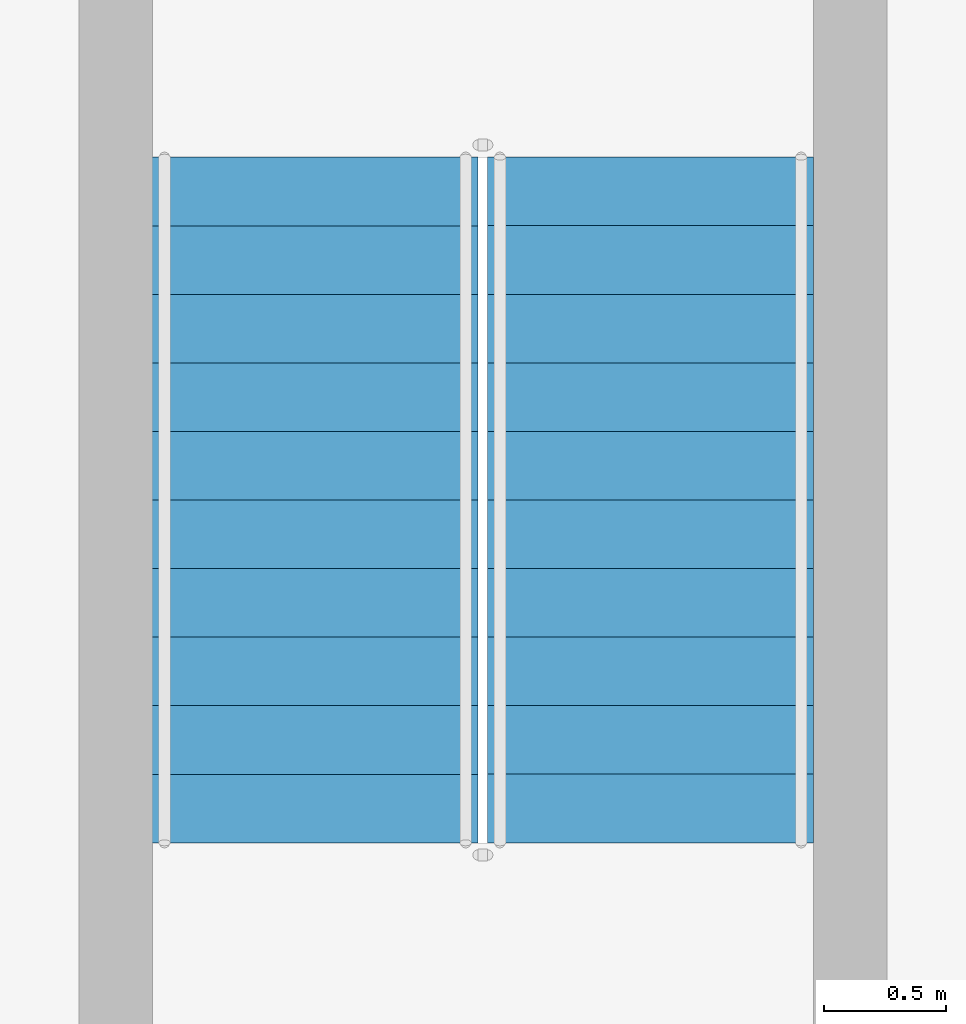
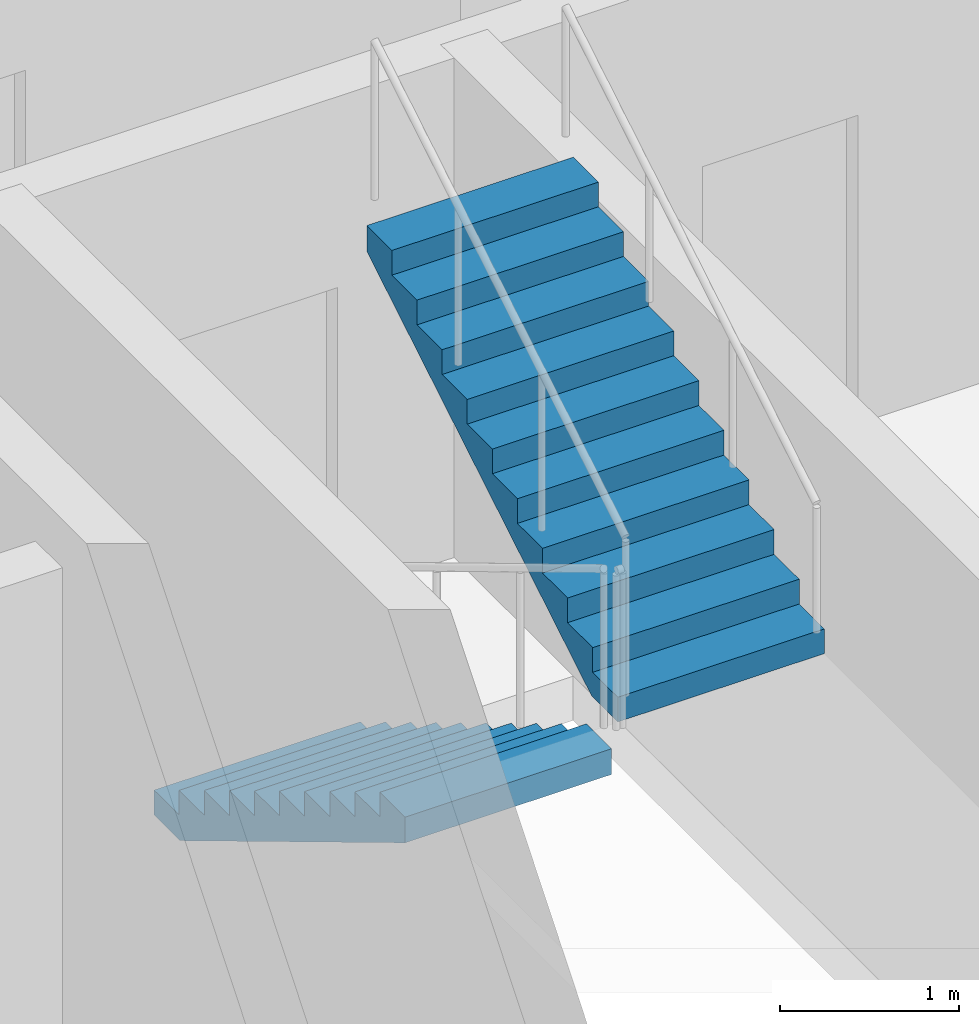
# One storey, part 15 of 19: 2 stair flights, 1 element without a shape of its own.
"""IFC4 building model written with IfcOpenShell, lengths in metres."""

from ifc_helpers import new_model, si_unit, direction, frame, origin, place, context, subcontext, project, spatial, triangles, source, transform, mapped, material, type_object, element, aggregate, save


model = new_model("IFC4")

# Units and contexts
model_context = context("Model", 3, precision=1e-05, world=origin(), true_north=direction((0.0, 1.0)))
body_context = subcontext(model_context, "Body", "Model", "MODEL_VIEW")
ifc_project = project(units=[si_unit("LENGTHUNIT", "METRE"), si_unit("AREAUNIT", "SQUARE_METRE"), si_unit("VOLUMEUNIT", "CUBIC_METRE"), si_unit("PLANEANGLEUNIT", "RADIAN"), si_unit("MASSUNIT", "GRAM", prefix="KILO")], contexts=[model_context])

# Site, building, storey
site_placement = place(None, origin())
site = spatial("IfcSite", under=ifc_project, at=site_placement, CompositionType="ELEMENT")
building_placement = place(site_placement, origin())
building = spatial("IfcBuilding", under=site, at=building_placement, Name="Ogive Portal Towers", CompositionType="ELEMENT")
storey_placement = place(building_placement, frame((0.0, 0.0, 229.10009765625)))
storey = spatial("IfcBuildingStorey", under=building, at=storey_placement, Name="L57", CompositionType="ELEMENT", Elevation=229.10009765625)

# Stair, stair flights
ifc_material = material(Name="Concrete C40/50", Category="concrete")
stair_type = type_object("IfcStairType", Name="INT-STAIR", PredefinedType="HALF_TURN_STAIR", material=ifc_material)
stair_placement = place(storey_placement, origin())
stair = element("IfcStair", 1, at=stair_placement, inside=storey, type_object=stair_type, Name="L57 Exit Stair ST-A4", PredefinedType="HALF_TURN_STAIR")
stair_flight_type = type_object("IfcStairFlightType", Name="INT-FLIGHT", PredefinedType="STRAIGHT", material=ifc_material)
shared_shape = source(origin(), body_context, "Body", "Tessellation", [
    triangles([(0.0, -0.6650390625, 0.0), (0.0, -0.384765625, 0.0), (0.0, -0.197021484375, 0.0), (0.0, -0.0830078125, 0.0), (0.0, -0.024658203125, 0.0), (0.0, -0.003173828125, 0.0), (0.0, 0.0, 0.0), (0.0, 0.003173828125, 0.0), (0.0, 0.024658203125, 0.0), (0.0, 0.0830078125, 0.0), (0.0, 0.197021484375, 0.0), (0.0, 0.384765625, 0.0), (0.0, 0.6650390625, 0.0), (0.0, -0.6650390625, 0.168212890625), (0.0, -0.384765625, 0.168212890625), (0.0, -0.197021484375, 0.168212890625), (0.0, -0.0830078125, 0.168212890625), (0.0, -0.024658203125, 0.168212890625), (0.0, -0.003173828125, 0.168212890625), (0.0, 0.0, 0.168212890625), (0.0, 0.003173828125, 0.168212890625), (0.0, 0.024658203125, 0.168212890625), (0.0, 0.0830078125, 0.168212890625), (0.0, 0.197021484375, 0.168212890625), (0.0, 0.384765625, 0.168212890625), (0.0, 0.6650390625, 0.168212890625), (0.280029296875, -0.6650390625, 0.168212890625), (0.280029296875, -0.384765625, 0.168212890625), (0.280029296875, -0.197021484375, 0.168212890625), (0.280029296875, -0.0830078125, 0.168212890625), (0.280029296875, -0.024658203125, 0.168212890625), (0.280029296875, -0.003173828125, 0.168212890625), (0.280029296875, 0.0, 0.168212890625), (0.280029296875, 0.003173828125, 0.168212890625), (0.280029296875, 0.024658203125, 0.168212890625), (0.280029296875, 0.0830078125, 0.168212890625), (0.280029296875, 0.197021484375, 0.168212890625), (0.280029296875, 0.384765625, 0.168212890625), (0.280029296875, 0.6650390625, 0.168212890625), (0.280029296875, -0.6650390625, 0.33642578125), (0.280029296875, -0.384765625, 0.33642578125), (0.280029296875, -0.197021484375, 0.33642578125), (0.280029296875, -0.0830078125, 0.33642578125), (0.280029296875, -0.024658203125, 0.33642578125), (0.280029296875, -0.003173828125, 0.33642578125), (0.280029296875, 0.0, 0.33642578125), (0.280029296875, 0.003173828125, 0.33642578125), (0.280029296875, 0.024658203125, 0.33642578125), (0.280029296875, 0.0830078125, 0.33642578125), (0.280029296875, 0.197021484375, 0.33642578125), (0.280029296875, 0.384765625, 0.33642578125), (0.280029296875, 0.6650390625, 0.33642578125), (0.56005859375, -0.6650390625, 0.33642578125), (0.56005859375, -0.384765625, 0.33642578125), (0.56005859375, -0.197021484375, 0.33642578125), (0.56005859375, -0.0830078125, 0.33642578125), (0.56005859375, -0.024658203125, 0.33642578125), (0.56005859375, -0.003173828125, 0.33642578125), (0.56005859375, 0.0, 0.33642578125), (0.56005859375, 0.003173828125, 0.33642578125), (0.56005859375, 0.024658203125, 0.33642578125), (0.56005859375, 0.0830078125, 0.33642578125), (0.56005859375, 0.197021484375, 0.33642578125), (0.56005859375, 0.384765625, 0.33642578125), (0.56005859375, 0.6650390625, 0.33642578125), (0.56005859375, -0.6650390625, 0.504638671875), (0.56005859375, -0.384765625, 0.504638671875), (0.56005859375, -0.197021484375, 0.504638671875), (0.56005859375, -0.0830078125, 0.504638671875), (0.56005859375, -0.024658203125, 0.504638671875), (0.56005859375, -0.003173828125, 0.504638671875), (0.56005859375, 0.0, 0.504638671875), (0.56005859375, 0.003173828125, 0.504638671875), (0.56005859375, 0.024658203125, 0.504638671875), (0.56005859375, 0.0830078125, 0.504638671875), (0.56005859375, 0.197021484375, 0.504638671875), (0.56005859375, 0.384765625, 0.504638671875), (0.56005859375, 0.6650390625, 0.504638671875), (0.840087890625, -0.6650390625, 0.504638671875), (0.840087890625, -0.384765625, 0.504638671875), (0.840087890625, -0.197021484375, 0.504638671875), (0.840087890625, -0.0830078125, 0.504638671875), (0.840087890625, -0.024658203125, 0.504638671875), (0.840087890625, -0.003173828125, 0.504638671875), (0.840087890625, 0.0, 0.504638671875), (0.840087890625, 0.003173828125, 0.504638671875), (0.840087890625, 0.024658203125, 0.504638671875), (0.840087890625, 0.0830078125, 0.504638671875), (0.840087890625, 0.197021484375, 0.504638671875), (0.840087890625, 0.384765625, 0.504638671875), (0.840087890625, 0.6650390625, 0.504638671875), (0.840087890625, -0.6650390625, 0.672607421875), (0.840087890625, -0.384765625, 0.672607421875), (0.840087890625, -0.197021484375, 0.672607421875), (0.840087890625, -0.0830078125, 0.672607421875), (0.840087890625, -0.024658203125, 0.672607421875), (0.840087890625, -0.003173828125, 0.672607421875), (0.840087890625, 0.0, 0.672607421875), (0.840087890625, 0.003173828125, 0.672607421875), (0.840087890625, 0.024658203125, 0.672607421875), (0.840087890625, 0.0830078125, 0.672607421875), (0.840087890625, 0.197021484375, 0.672607421875), (0.840087890625, 0.384765625, 0.672607421875), (0.840087890625, 0.6650390625, 0.672607421875), (1.1201171875, -0.6650390625, 0.672607421875), (1.1201171875, -0.384765625, 0.672607421875), (1.1201171875, -0.197021484375, 0.672607421875), (1.1201171875, -0.0830078125, 0.672607421875), (1.1201171875, -0.024658203125, 0.672607421875), (1.1201171875, -0.003173828125, 0.672607421875), (1.1201171875, 0.0, 0.672607421875), (1.1201171875, 0.003173828125, 0.672607421875), (1.1201171875, 0.024658203125, 0.672607421875), (1.1201171875, 0.0830078125, 0.672607421875), (1.1201171875, 0.197021484375, 0.672607421875), (1.1201171875, 0.384765625, 0.672607421875), (1.1201171875, 0.6650390625, 0.672607421875), (1.1201171875, -0.6650390625, 0.8408203125), (1.1201171875, -0.384765625, 0.8408203125), (1.1201171875, -0.197021484375, 0.8408203125), (1.1201171875, -0.0830078125, 0.8408203125), (1.1201171875, -0.024658203125, 0.8408203125), (1.1201171875, -0.003173828125, 0.8408203125), (1.1201171875, 0.0, 0.8408203125), (1.1201171875, 0.003173828125, 0.8408203125), (1.1201171875, 0.024658203125, 0.8408203125), (1.1201171875, 0.0830078125, 0.8408203125), (1.1201171875, 0.197021484375, 0.8408203125), (1.1201171875, 0.384765625, 0.8408203125), (1.1201171875, 0.6650390625, 0.8408203125), (1.39990234375, -0.6650390625, 0.8408203125), (1.39990234375, -0.384765625, 0.8408203125), (1.39990234375, -0.197021484375, 0.8408203125), (1.39990234375, -0.0830078125, 0.8408203125), (1.39990234375, -0.024658203125, 0.8408203125), (1.39990234375, -0.003173828125, 0.8408203125), (1.39990234375, 0.0, 0.8408203125), (1.39990234375, 0.003173828125, 0.8408203125), (1.39990234375, 0.024658203125, 0.8408203125), (1.39990234375, 0.0830078125, 0.8408203125), (1.39990234375, 0.197021484375, 0.8408203125), (1.39990234375, 0.384765625, 0.8408203125), (1.39990234375, 0.6650390625, 0.8408203125), (1.39990234375, -0.6650390625, 1.009033203125), (1.39990234375, -0.384765625, 1.009033203125), (1.39990234375, -0.197021484375, 1.009033203125), (1.39990234375, -0.0830078125, 1.009033203125), (1.39990234375, -0.024658203125, 1.009033203125), (1.39990234375, -0.003173828125, 1.009033203125), (1.39990234375, 0.0, 1.009033203125), (1.39990234375, 0.003173828125, 1.009033203125), (1.39990234375, 0.024658203125, 1.009033203125), (1.39990234375, 0.0830078125, 1.009033203125), (1.39990234375, 0.197021484375, 1.009033203125), (1.39990234375, 0.384765625, 1.009033203125), (1.39990234375, 0.6650390625, 1.009033203125), (1.679931640625, -0.6650390625, 1.009033203125), (1.679931640625, -0.384765625, 1.009033203125), (1.679931640625, -0.197021484375, 1.009033203125), (1.679931640625, -0.0830078125, 1.009033203125), (1.679931640625, -0.024658203125, 1.009033203125), (1.679931640625, -0.003173828125, 1.009033203125), (1.679931640625, 0.0, 1.009033203125), (1.679931640625, 0.003173828125, 1.009033203125), (1.679931640625, 0.024658203125, 1.009033203125), (1.679931640625, 0.0830078125, 1.009033203125), (1.679931640625, 0.197021484375, 1.009033203125), (1.679931640625, 0.384765625, 1.009033203125), (1.679931640625, 0.6650390625, 1.009033203125), (1.679931640625, -0.6650390625, 1.17724609375), (1.679931640625, -0.384765625, 1.17724609375), (1.679931640625, -0.197021484375, 1.17724609375), (1.679931640625, -0.0830078125, 1.17724609375), (1.679931640625, -0.024658203125, 1.17724609375), (1.679931640625, -0.003173828125, 1.17724609375), (1.679931640625, 0.0, 1.17724609375), (1.679931640625, 0.003173828125, 1.17724609375), (1.679931640625, 0.024658203125, 1.17724609375), (1.679931640625, 0.0830078125, 1.17724609375), (1.679931640625, 0.197021484375, 1.17724609375), (1.679931640625, 0.384765625, 1.17724609375), (1.679931640625, 0.6650390625, 1.17724609375), (1.9599609375, -0.6650390625, 1.17724609375), (1.9599609375, -0.384765625, 1.17724609375), (1.9599609375, -0.197021484375, 1.17724609375), (1.9599609375, -0.0830078125, 1.17724609375), (1.9599609375, -0.024658203125, 1.17724609375), (1.9599609375, -0.003173828125, 1.17724609375), (1.9599609375, 0.0, 1.17724609375), (1.9599609375, 0.003173828125, 1.17724609375), (1.9599609375, 0.024658203125, 1.17724609375), (1.9599609375, 0.0830078125, 1.17724609375), (1.9599609375, 0.197021484375, 1.17724609375), (1.9599609375, 0.384765625, 1.17724609375), (1.9599609375, 0.6650390625, 1.17724609375), (1.9599609375, -0.6650390625, 1.345458984375), (1.9599609375, -0.384765625, 1.345458984375), (1.9599609375, -0.197021484375, 1.345458984375), (1.9599609375, -0.0830078125, 1.345458984375), (1.9599609375, -0.024658203125, 1.345458984375), (1.9599609375, -0.003173828125, 1.345458984375), (1.9599609375, 0.0, 1.345458984375), (1.9599609375, 0.003173828125, 1.345458984375), (1.9599609375, 0.024658203125, 1.345458984375), (1.9599609375, 0.0830078125, 1.345458984375), (1.9599609375, 0.197021484375, 1.345458984375), (1.9599609375, 0.384765625, 1.345458984375), (1.9599609375, 0.6650390625, 1.345458984375), (2.239990234375, -0.6650390625, 1.345458984375), (2.239990234375, -0.384765625, 1.345458984375), (2.239990234375, -0.197021484375, 1.345458984375), (2.239990234375, -0.0830078125, 1.345458984375), (2.239990234375, -0.024658203125, 1.345458984375), (2.239990234375, -0.003173828125, 1.345458984375), (2.239990234375, 0.0, 1.345458984375), (2.239990234375, 0.003173828125, 1.345458984375), (2.239990234375, 0.024658203125, 1.345458984375), (2.239990234375, 0.0830078125, 1.345458984375), (2.239990234375, 0.197021484375, 1.345458984375), (2.239990234375, 0.384765625, 1.345458984375), (2.239990234375, 0.6650390625, 1.345458984375), (2.239990234375, -0.6650390625, 1.513671875), (2.239990234375, -0.384765625, 1.513671875), (2.239990234375, -0.197021484375, 1.513671875), (2.239990234375, -0.0830078125, 1.513671875), (2.239990234375, -0.024658203125, 1.513671875), (2.239990234375, -0.003173828125, 1.513671875), (2.239990234375, 0.0, 1.513671875), (2.239990234375, 0.003173828125, 1.513671875), (2.239990234375, 0.024658203125, 1.513671875), (2.239990234375, 0.0830078125, 1.513671875), (2.239990234375, 0.197021484375, 1.513671875), (2.239990234375, 0.384765625, 1.513671875), (2.239990234375, 0.6650390625, 1.513671875), (2.52001953125, -0.6650390625, 1.513671875), (2.52001953125, -0.384765625, 1.513671875), (2.52001953125, -0.197021484375, 1.513671875), (2.52001953125, -0.0830078125, 1.513671875), (2.52001953125, -0.024658203125, 1.513671875), (2.52001953125, -0.003173828125, 1.513671875), (2.52001953125, 0.0, 1.513671875), (2.52001953125, 0.003173828125, 1.513671875), (2.52001953125, 0.024658203125, 1.513671875), (2.52001953125, 0.0830078125, 1.513671875), (2.52001953125, 0.197021484375, 1.513671875), (2.52001953125, 0.384765625, 1.513671875), (2.52001953125, 0.6650390625, 1.513671875), (2.52001953125, -0.6650390625, 1.681884765625), (2.52001953125, -0.384765625, 1.681884765625), (2.52001953125, -0.197021484375, 1.681884765625), (2.52001953125, -0.0830078125, 1.681884765625), (2.52001953125, -0.024658203125, 1.681884765625), (2.52001953125, -0.003173828125, 1.681884765625), (2.52001953125, 0.0, 1.681884765625), (2.52001953125, 0.003173828125, 1.681884765625), (2.52001953125, 0.024658203125, 1.681884765625), (2.52001953125, 0.0830078125, 1.681884765625), (2.52001953125, 0.197021484375, 1.681884765625), (2.52001953125, 0.384765625, 1.681884765625), (2.52001953125, 0.6650390625, 1.681884765625), (2.800048828125, -0.6650390625, 1.681884765625), (2.800048828125, -0.384765625, 1.681884765625), (2.800048828125, -0.197021484375, 1.681884765625), (2.800048828125, -0.0830078125, 1.681884765625), (2.800048828125, -0.024658203125, 1.681884765625), (2.800048828125, -0.003173828125, 1.681884765625), (2.800048828125, 0.0, 1.681884765625), (2.800048828125, 0.003173828125, 1.681884765625), (2.800048828125, 0.024658203125, 1.681884765625), (2.800048828125, 0.0830078125, 1.681884765625), (2.800048828125, 0.197021484375, 1.681884765625), (2.800048828125, 0.384765625, 1.681884765625), (2.800048828125, 0.6650390625, 1.681884765625), (2.800048828125, -0.6650390625, 1.5068359375), (2.800048828125, -0.384765625, 1.5068359375), (2.800048828125, -0.197021484375, 1.5068359375), (2.800048828125, -0.0830078125, 1.5068359375), (2.800048828125, -0.024658203125, 1.5068359375), (2.800048828125, -0.003173828125, 1.5068359375), (2.800048828125, 0.0, 1.5068359375), (2.800048828125, 0.003173828125, 1.5068359375), (2.800048828125, 0.024658203125, 1.5068359375), (2.800048828125, 0.0830078125, 1.5068359375), (2.800048828125, 0.197021484375, 1.5068359375), (2.800048828125, 0.384765625, 1.5068359375), (2.800048828125, 0.6650390625, 1.5068359375), (0.291015625, -0.6650390625, 0.0), (0.291015625, -0.384765625, 0.0), (0.291015625, -0.197021484375, 0.0), (0.291015625, -0.0830078125, 0.0), (0.291015625, -0.024658203125, 0.0), (0.291015625, -0.003173828125, 0.0), (0.291015625, 0.0, 0.0), (0.291015625, 0.003173828125, 0.0), (0.291015625, 0.024658203125, 0.0), (0.291015625, 0.0830078125, 0.0), (0.291015625, 0.197021484375, 0.0), (0.291015625, 0.384765625, 0.0), (0.291015625, 0.6650390625, 0.0)], [[1, 14, 15], [1, 15, 2], [2, 15, 16], [2, 16, 3], [3, 16, 17], [3, 17, 4], [4, 17, 18], [4, 18, 5], [5, 18, 19], [5, 19, 6], [6, 19, 20], [6, 20, 7], [7, 20, 21], [7, 21, 8], [8, 21, 22], [8, 22, 9], [9, 22, 23], [9, 23, 10], [10, 23, 24], [10, 24, 11], [11, 24, 25], [11, 25, 12], [12, 25, 26], [12, 26, 13], [14, 27, 28], [14, 28, 15], [15, 28, 29], [15, 29, 16], [16, 29, 30], [16, 30, 17], [17, 30, 31], [17, 31, 18], [18, 31, 32], [18, 32, 19], [19, 32, 33], [19, 33, 20], [20, 33, 34], [20, 34, 21], [21, 34, 35], [21, 35, 22], [22, 35, 36], [22, 36, 23], [23, 36, 37], [23, 37, 24], [24, 37, 38], [24, 38, 25], [25, 38, 39], [25, 39, 26], [27, 40, 41], [27, 41, 28], [28, 41, 42], [28, 42, 29], [29, 42, 43], [29, 43, 30], [30, 43, 44], [30, 44, 31], [31, 44, 45], [31, 45, 32], [32, 45, 46], [32, 46, 33], [33, 46, 47], [33, 47, 34], [34, 47, 48], [34, 48, 35], [35, 48, 49], [35, 49, 36], [36, 49, 50], [36, 50, 37], [37, 50, 51], [37, 51, 38], [38, 51, 52], [38, 52, 39], [40, 53, 54], [40, 54, 41], [41, 54, 55], [41, 55, 42], [42, 55, 56], [42, 56, 43], [43, 56, 57], [43, 57, 44], [44, 57, 58], [44, 58, 45], [45, 58, 59], [45, 59, 46], [46, 59, 60], [46, 60, 47], [47, 60, 61], [47, 61, 48], [48, 61, 62], [48, 62, 49], [49, 62, 63], [49, 63, 50], [50, 63, 64], [50, 64, 51], [51, 64, 65], [51, 65, 52], [53, 66, 67], [53, 67, 54], [54, 67, 68], [54, 68, 55], [55, 68, 69], [55, 69, 56], [56, 69, 70], [56, 70, 57], [57, 70, 71], [57, 71, 58], [58, 71, 72], [58, 72, 59], [59, 72, 73], [59, 73, 60], [60, 73, 74], [60, 74, 61], [61, 74, 75], [61, 75, 62], [62, 75, 76], [62, 76, 63], [63, 76, 77], [63, 77, 64], [64, 77, 78], [64, 78, 65], [66, 79, 80], [66, 80, 67], [67, 80, 81], [67, 81, 68], [68, 81, 82], [68, 82, 69], [69, 82, 83], [69, 83, 70], [70, 83, 84], [70, 84, 71], [71, 84, 85], [71, 85, 72], [72, 85, 86], [72, 86, 73], [73, 86, 87], [73, 87, 74], [74, 87, 88], [74, 88, 75], [75, 88, 89], [75, 89, 76], [76, 89, 90], [76, 90, 77], [77, 90, 91], [77, 91, 78], [79, 92, 93], [79, 93, 80], [80, 93, 94], [80, 94, 81], [81, 94, 95], [81, 95, 82], [82, 95, 96], [82, 96, 83], [83, 96, 97], [83, 97, 84], [84, 97, 98], [84, 98, 85], [85, 98, 99], [85, 99, 86], [86, 99, 100], [86, 100, 87], [87, 100, 101], [87, 101, 88], [88, 101, 102], [88, 102, 89], [89, 102, 103], [89, 103, 90], [90, 103, 104], [90, 104, 91], [92, 105, 106], [92, 106, 93], [93, 106, 107], [93, 107, 94], [94, 107, 108], [94, 108, 95], [95, 108, 109], [95, 109, 96], [96, 109, 110], [96, 110, 97], [97, 110, 111], [97, 111, 98], [98, 111, 112], [98, 112, 99], [99, 112, 113], [99, 113, 100], [100, 113, 114], [100, 114, 101], [101, 114, 115], [101, 115, 102], [102, 115, 116], [102, 116, 103], [103, 116, 117], [103, 117, 104], [105, 118, 119], [105, 119, 106], [106, 119, 120], [106, 120, 107], [107, 120, 121], [107, 121, 108], [108, 121, 122], [108, 122, 109], [109, 122, 123], [109, 123, 110], [110, 123, 124], [110, 124, 111], [111, 124, 125], [111, 125, 112], [112, 125, 126], [112, 126, 113], [113, 126, 127], [113, 127, 114], [114, 127, 128], [114, 128, 115], [115, 128, 129], [115, 129, 116], [116, 129, 130], [116, 130, 117], [118, 131, 132], [118, 132, 119], [119, 132, 133], [119, 133, 120], [120, 133, 134], [120, 134, 121], [121, 134, 135], [121, 135, 122], [122, 135, 136], [122, 136, 123], [123, 136, 137], [123, 137, 124], [124, 137, 138], [124, 138, 125], [125, 138, 139], [125, 139, 126], [126, 139, 140], [126, 140, 127], [127, 140, 141], [127, 141, 128], [128, 141, 142], [128, 142, 129], [129, 142, 143], [129, 143, 130], [131, 144, 145], [131, 145, 132], [132, 145, 146], [132, 146, 133], [133, 146, 147], [133, 147, 134], [134, 147, 148], [134, 148, 135], [135, 148, 149], [135, 149, 136], [136, 149, 150], [136, 150, 137], [137, 150, 151], [137, 151, 138], [138, 151, 152], [138, 152, 139], [139, 152, 153], [139, 153, 140], [140, 153, 154], [140, 154, 141], [141, 154, 155], [141, 155, 142], [142, 155, 156], [142, 156, 143], [144, 157, 158], [144, 158, 145], [145, 158, 159], [145, 159, 146], [146, 159, 160], [146, 160, 147], [147, 160, 161], [147, 161, 148], [148, 161, 162], [148, 162, 149], [149, 162, 163], [149, 163, 150], [150, 163, 164], [150, 164, 151], [151, 164, 165], [151, 165, 152], [152, 165, 166], [152, 166, 153], [153, 166, 167], [153, 167, 154], [154, 167, 168], [154, 168, 155], [155, 168, 169], [155, 169, 156], [157, 170, 171], [157, 171, 158], [158, 171, 172], [158, 172, 159], [159, 172, 173], [159, 173, 160], [160, 173, 174], [160, 174, 161], [161, 174, 175], [161, 175, 162], [162, 175, 176], [162, 176, 163], [163, 176, 177], [163, 177, 164], [164, 177, 178], [164, 178, 165], [165, 178, 179], [165, 179, 166], [166, 179, 180], [166, 180, 167], [167, 180, 181], [167, 181, 168], [168, 181, 182], [168, 182, 169], [170, 183, 184], [170, 184, 171], [171, 184, 185], [171, 185, 172], [172, 185, 186], [172, 186, 173], [173, 186, 187], [173, 187, 174], [174, 187, 188], [174, 188, 175], [175, 188, 189], [175, 189, 176], [176, 189, 190], [176, 190, 177], [177, 190, 191], [177, 191, 178], [178, 191, 192], [178, 192, 179], [179, 192, 193], [179, 193, 180], [180, 193, 194], [180, 194, 181], [181, 194, 195], [181, 195, 182], [183, 196, 197], [183, 197, 184], [184, 197, 198], [184, 198, 185], [185, 198, 199], [185, 199, 186], [186, 199, 200], [186, 200, 187], [187, 200, 201], [187, 201, 188], [188, 201, 202], [188, 202, 189], [189, 202, 203], [189, 203, 190], [190, 203, 204], [190, 204, 191], [191, 204, 205], [191, 205, 192], [192, 205, 206], [192, 206, 193], [193, 206, 207], [193, 207, 194], [194, 207, 208], [194, 208, 195], [196, 209, 210], [196, 210, 197], [197, 210, 211], [197, 211, 198], [198, 211, 212], [198, 212, 199], [199, 212, 213], [199, 213, 200], [200, 213, 214], [200, 214, 201], [201, 214, 215], [201, 215, 202], [202, 215, 216], [202, 216, 203], [203, 216, 217], [203, 217, 204], [204, 217, 218], [204, 218, 205], [205, 218, 219], [205, 219, 206], [206, 219, 220], [206, 220, 207], [207, 220, 221], [207, 221, 208], [209, 222, 223], [209, 223, 210], [210, 223, 224], [210, 224, 211], [211, 224, 225], [211, 225, 212], [212, 225, 226], [212, 226, 213], [213, 226, 227], [213, 227, 214], [214, 227, 228], [214, 228, 215], [215, 228, 229], [215, 229, 216], [216, 229, 230], [216, 230, 217], [217, 230, 231], [217, 231, 218], [218, 231, 232], [218, 232, 219], [219, 232, 233], [219, 233, 220], [220, 233, 234], [220, 234, 221], [222, 235, 236], [222, 236, 223], [223, 236, 237], [223, 237, 224], [224, 237, 238], [224, 238, 225], [225, 238, 239], [225, 239, 226], [226, 239, 240], [226, 240, 227], [227, 240, 241], [227, 241, 228], [228, 241, 242], [228, 242, 229], [229, 242, 243], [229, 243, 230], [230, 243, 244], [230, 244, 231], [231, 244, 245], [231, 245, 232], [232, 245, 246], [232, 246, 233], [233, 246, 247], [233, 247, 234], [235, 248, 249], [235, 249, 236], [236, 249, 250], [236, 250, 237], [237, 250, 251], [237, 251, 238], [238, 251, 252], [238, 252, 239], [239, 252, 253], [239, 253, 240], [240, 253, 254], [240, 254, 241], [241, 254, 255], [241, 255, 242], [242, 255, 256], [242, 256, 243], [243, 256, 257], [243, 257, 244], [244, 257, 258], [244, 258, 245], [245, 258, 259], [245, 259, 246], [246, 259, 260], [246, 260, 247], [248, 261, 262], [248, 262, 249], [249, 262, 263], [249, 263, 250], [250, 263, 264], [250, 264, 251], [251, 264, 265], [251, 265, 252], [252, 265, 266], [252, 266, 253], [253, 266, 267], [253, 267, 254], [254, 267, 268], [254, 268, 255], [255, 268, 269], [255, 269, 256], [256, 269, 270], [256, 270, 257], [257, 270, 271], [257, 271, 258], [258, 271, 272], [258, 272, 259], [259, 272, 273], [259, 273, 260], [261, 274, 275], [261, 275, 262], [262, 275, 276], [262, 276, 263], [263, 276, 277], [263, 277, 264], [264, 277, 278], [264, 278, 265], [265, 278, 279], [265, 279, 266], [266, 279, 280], [266, 280, 267], [267, 280, 281], [267, 281, 268], [268, 281, 282], [268, 282, 269], [269, 282, 283], [269, 283, 270], [270, 283, 284], [270, 284, 271], [271, 284, 285], [271, 285, 272], [272, 285, 286], [272, 286, 273], [274, 287, 288], [274, 288, 275], [275, 288, 289], [275, 289, 276], [276, 289, 290], [276, 290, 277], [277, 290, 291], [277, 291, 278], [278, 291, 292], [278, 292, 279], [279, 292, 293], [279, 293, 280], [280, 293, 294], [280, 294, 281], [281, 294, 295], [281, 295, 282], [282, 295, 296], [282, 296, 283], [283, 296, 297], [283, 297, 284], [284, 297, 298], [284, 298, 285], [285, 298, 299], [285, 299, 286], [287, 1, 2], [287, 2, 288], [288, 2, 3], [288, 3, 289], [289, 3, 4], [289, 4, 290], [290, 4, 5], [290, 5, 291], [291, 5, 6], [291, 6, 292], [292, 6, 7], [292, 7, 293], [293, 7, 8], [293, 8, 294], [294, 8, 9], [294, 9, 295], [295, 9, 10], [295, 10, 296], [296, 10, 11], [296, 11, 297], [297, 11, 12], [297, 12, 298], [298, 12, 13], [298, 13, 299], [1, 287, 274], [13, 286, 299], [274, 261, 248], [286, 260, 273], [274, 248, 235], [286, 247, 260], [274, 235, 222], [286, 234, 247], [274, 222, 209], [286, 221, 234], [209, 196, 183], [221, 195, 208], [274, 209, 183], [286, 195, 221], [183, 170, 157], [195, 169, 182], [274, 183, 157], [286, 169, 195], [157, 144, 131], [169, 143, 156], [274, 157, 131], [286, 143, 169], [131, 118, 105], [143, 117, 130], [274, 131, 105], [286, 117, 143], [1, 274, 105], [13, 117, 286], [105, 92, 79], [117, 91, 104], [79, 66, 53], [91, 65, 78], [105, 79, 53], [117, 65, 91], [53, 40, 27], [65, 39, 52], [105, 53, 27], [117, 39, 65], [1, 105, 27], [13, 39, 117], [27, 14, 1], [39, 13, 26]], closed=True),
])
stair_flight_1_placement = place(storey_placement, frame((87.6650390625, 29.169921875, 0.0), z_axis=(0.0, 0.0, 1.0), x_axis=(0.0, -1.0, 0.0)))
stair_flight_1 = element("IfcStairFlight", 2, at=stair_flight_1_placement, type_object=stair_flight_type, Name="ST-A4 flight 1", NumberOfRisers=11, NumberOfTreads=10, PredefinedType="STRAIGHT", RiserHeight=0.168181818, TreadLength=0.28, context=body_context, shape_type="MappedRepresentation", body=[
    mapped(shared_shape, transform((0.0, 0.0, 0.0), scale=1.0)),
])
stair_flight_2_placement = place(storey_placement, frame((89.034912109375, 26.3701171875, 1.849853515625), z_axis=(0.0, 0.0, 1.0), x_axis=(0.0, 1.0, 0.0)))
stair_flight_2 = element("IfcStairFlight", 3, at=stair_flight_2_placement, type_object=stair_flight_type, Name="ST-A4 flight 2", NumberOfRisers=11, NumberOfTreads=10, PredefinedType="STRAIGHT", RiserHeight=0.168181818, TreadLength=0.28, context=body_context, shape_type="MappedRepresentation", body=[
    mapped(shared_shape, transform((0.0, 0.0, 0.0), scale=1.0)),
])
aggregate(stair, [stair_flight_1, stair_flight_2])

save(model, "model.ifc")
